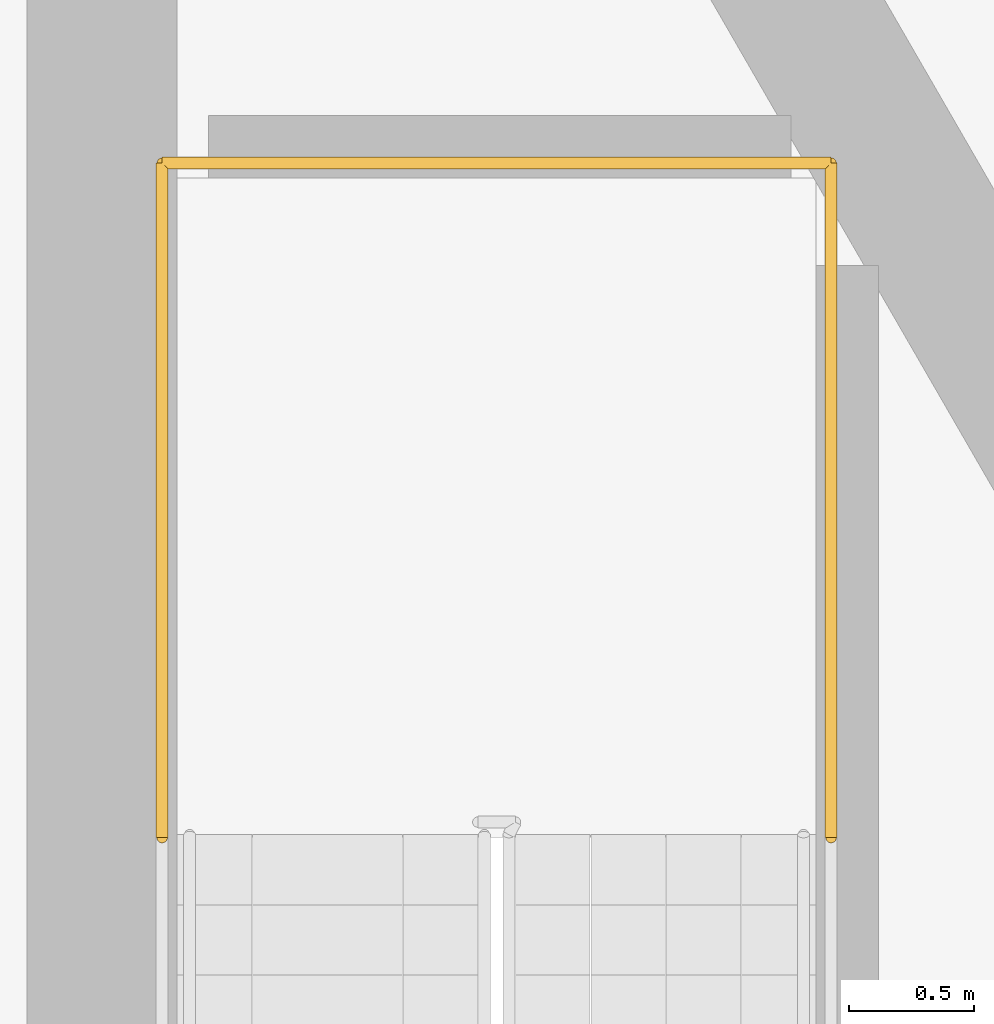
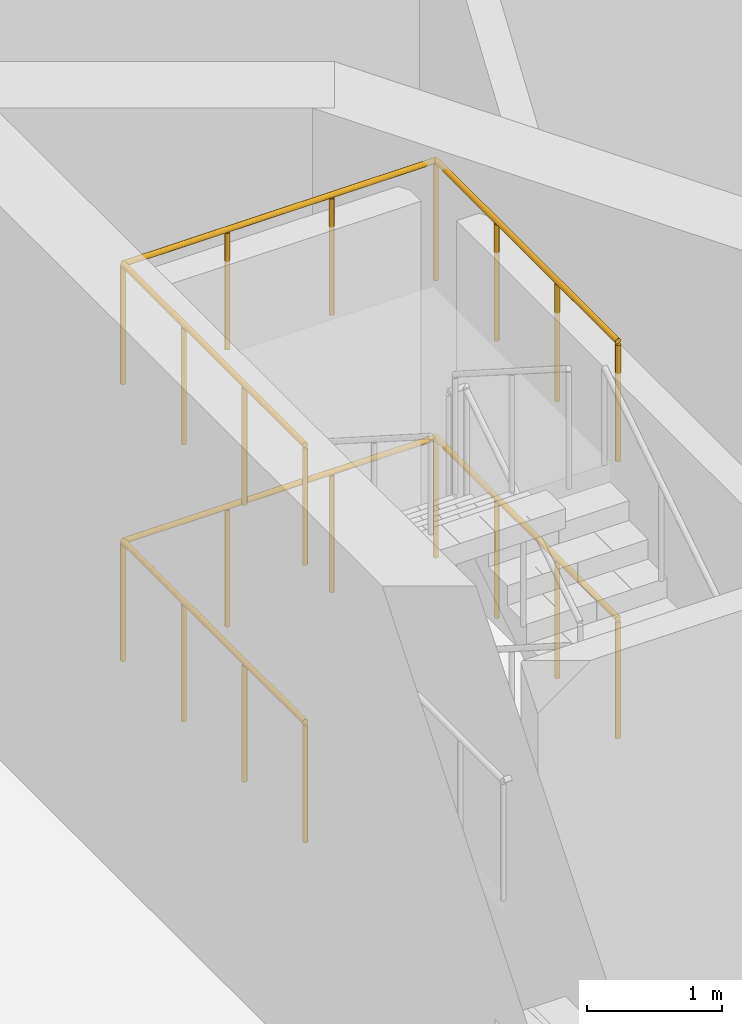
# One storey, part 13 of 13: 2 railings.
"""IFC4 building model written with IfcOpenShell, lengths in metres."""

from ifc_helpers import new_model, si_unit, direction, frame, origin, origin_2d, place, context, subcontext, project, spatial, circle, extrude, material, type_object, element, save


model = new_model("IFC4")

# Units and contexts
model_context = context("Model", 3, precision=1e-05, world=origin(), true_north=direction((0.0, 1.0)))
body_context = subcontext(model_context, "Body", "Model", "MODEL_VIEW")
ifc_project = project(units=[si_unit("LENGTHUNIT", "METRE"), si_unit("AREAUNIT", "SQUARE_METRE"), si_unit("VOLUMEUNIT", "CUBIC_METRE"), si_unit("PLANEANGLEUNIT", "RADIAN"), si_unit("MASSUNIT", "GRAM", prefix="KILO")], contexts=[model_context])

# Site, building, storey
site_placement = place(None, origin())
site = spatial("IfcSite", under=ifc_project, at=site_placement, CompositionType="ELEMENT")
building_placement = place(site_placement, origin())
building = spatial("IfcBuilding", under=site, at=building_placement, Name="Cantera Rosa Tower", CompositionType="ELEMENT")
storey_placement = place(building_placement, frame((0.0, 0.0, 350.699951171875)))
storey = spatial("IfcBuildingStorey", under=building, at=storey_placement, Name="L79", CompositionType="ELEMENT", Elevation=350.699951171875)

# Railings
ifc_material = material(Name="Steel S355J2 (EN 10025-2)", Category="steel")
railing_type = type_object("IfcRailingType", Name="STAIR GUARD 1100", PredefinedType="GUARDRAIL", material=ifc_material)
railing_1_placement = place(storey_placement, frame((7.2099609375, 3.117919921875, 1.25)))
element("IfcRailing", 1, at=railing_1_placement, inside=storey, type_object=railing_type, Name="L79 ST-72 stair guard 7", PredefinedType="GUARDRAIL", context=body_context, shape_type="SweptSolid", body=[
    extrude(circle(Radius=0.02392578125, at=origin_2d()), frame((0.0, 0.0, 1.076171875), z_axis=(0.0, 1.0, 0.0), x_axis=(-1.0, 0.0, 0.0)), (0.0, 0.0, 1.0), 2.692138671875),
    extrude(circle(Radius=0.02392578125, at=origin_2d()), frame((0.0, 2.692138671875, 1.076171875), z_axis=(-1.0, 0.0, 0.0), x_axis=(0.0, -1.0, 0.0)), (0.0, 0.0, 1.0), 2.669921875),
    extrude(circle(Radius=0.02392578125, at=origin_2d()), frame((-2.669921875, 2.692138671875, 1.076171875), z_axis=(0.0, -1.0, 0.0), x_axis=(1.0, 0.0, 0.0)), (0.0, 0.0, 1.0), 2.692138671875),
    extrude(circle(Radius=0.02099609375, at=origin_2d()), origin(), (0.0, 0.0, 1.0), 1.052001953125),
    extrude(circle(Radius=0.02099609375, at=origin_2d()), frame((0.0, 0.8974609375, 0.0)), (0.0, 0.0, 1.0), 1.052001953125),
    extrude(circle(Radius=0.02099609375, at=origin_2d()), frame((0.0, 1.794677734375, 0.0)), (0.0, 0.0, 1.0), 1.052001953125),
    extrude(circle(Radius=0.02099609375, at=origin_2d()), frame((0.0, 2.692138671875, 0.0)), (0.0, 0.0, 1.0), 1.052001953125),
    extrude(circle(Radius=0.02099609375, at=origin_2d()), frame((-0.889892578125, 2.692138671875, 0.0)), (0.0, 0.0, 1.0), 1.052001953125),
    extrude(circle(Radius=0.02099609375, at=origin_2d()), frame((-1.780029296875, 2.692138671875, 0.0)), (0.0, 0.0, 1.0), 1.052001953125),
    extrude(circle(Radius=0.02099609375, at=origin_2d()), frame((-2.669921875, 2.692138671875, 0.0)), (0.0, 0.0, 1.0), 1.052001953125),
    extrude(circle(Radius=0.02099609375, at=origin_2d()), frame((-2.669921875, 1.794677734375, 0.0)), (0.0, 0.0, 1.0), 1.052001953125),
    extrude(circle(Radius=0.02099609375, at=origin_2d()), frame((-2.669921875, 0.8974609375, 0.0)), (0.0, 0.0, 1.0), 1.052001953125),
    extrude(circle(Radius=0.02099609375, at=origin_2d()), frame((-2.669921875, 0.0, 0.0)), (0.0, 0.0, 1.0), 1.052001953125),
])
railing_2_placement = place(storey_placement, frame((7.2099609375, 3.117919921875, 3.75)))
element("IfcRailing", 2, at=railing_2_placement, inside=storey, type_object=railing_type, Name="L79 ST-72 stair guard 9", PredefinedType="GUARDRAIL", context=body_context, shape_type="SweptSolid", body=[
    extrude(circle(Radius=0.02392578125, at=origin_2d()), frame((0.0, 0.0, 1.076171875), z_axis=(0.0, 1.0, 0.0), x_axis=(-1.0, 0.0, 0.0)), (0.0, 0.0, 1.0), 2.692138671875),
    extrude(circle(Radius=0.02392578125, at=origin_2d()), frame((0.0, 2.692138671875, 1.076171875), z_axis=(-1.0, 0.0, 0.0), x_axis=(0.0, -1.0, 0.0)), (0.0, 0.0, 1.0), 2.669921875),
    extrude(circle(Radius=0.02392578125, at=origin_2d()), frame((-2.669921875, 2.692138671875, 1.076171875), z_axis=(0.0, -1.0, 0.0), x_axis=(1.0, 0.0, 0.0)), (0.0, 0.0, 1.0), 2.692138671875),
    extrude(circle(Radius=0.02099609375, at=origin_2d()), origin(), (0.0, 0.0, 1.0), 1.052001953125),
    extrude(circle(Radius=0.02099609375, at=origin_2d()), frame((0.0, 0.8974609375, 0.0)), (0.0, 0.0, 1.0), 1.052001953125),
    extrude(circle(Radius=0.02099609375, at=origin_2d()), frame((0.0, 1.794677734375, 0.0)), (0.0, 0.0, 1.0), 1.052001953125),
    extrude(circle(Radius=0.02099609375, at=origin_2d()), frame((0.0, 2.692138671875, 0.0)), (0.0, 0.0, 1.0), 1.052001953125),
    extrude(circle(Radius=0.02099609375, at=origin_2d()), frame((-0.889892578125, 2.692138671875, 0.0)), (0.0, 0.0, 1.0), 1.052001953125),
    extrude(circle(Radius=0.02099609375, at=origin_2d()), frame((-1.780029296875, 2.692138671875, 0.0)), (0.0, 0.0, 1.0), 1.052001953125),
    extrude(circle(Radius=0.02099609375, at=origin_2d()), frame((-2.669921875, 2.692138671875, 0.0)), (0.0, 0.0, 1.0), 1.052001953125),
    extrude(circle(Radius=0.02099609375, at=origin_2d()), frame((-2.669921875, 1.794677734375, 0.0)), (0.0, 0.0, 1.0), 1.052001953125),
    extrude(circle(Radius=0.02099609375, at=origin_2d()), frame((-2.669921875, 0.8974609375, 0.0)), (0.0, 0.0, 1.0), 1.052001953125),
    extrude(circle(Radius=0.02099609375, at=origin_2d()), frame((-2.669921875, 0.0, 0.0)), (0.0, 0.0, 1.0), 1.052001953125),
])

save(model, "model.ifc")
